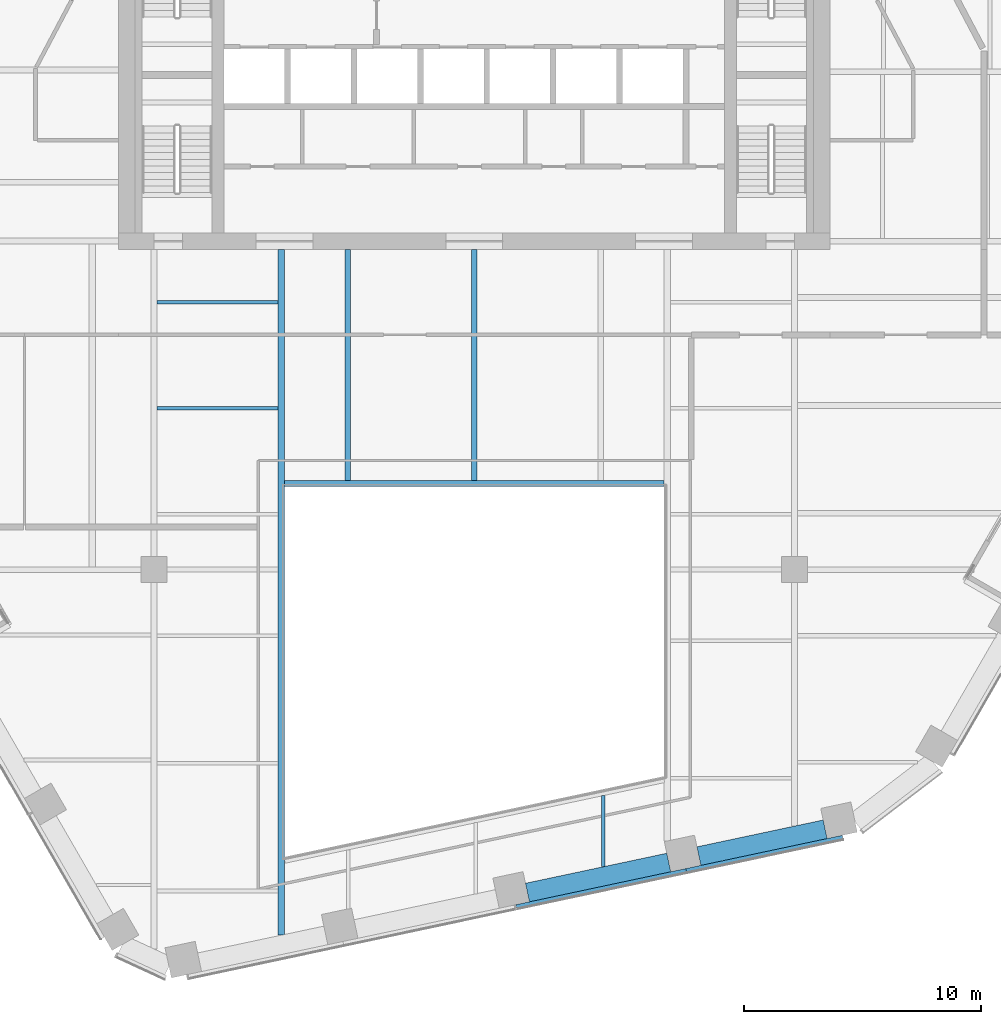
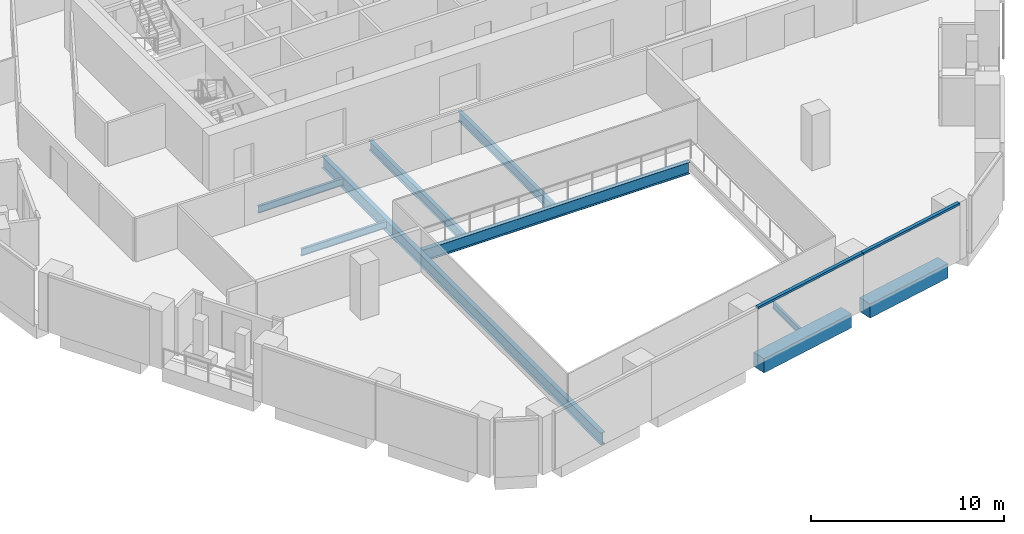
# One storey, part 4 of 25: 9 beams, 2 members, 1 element without a shape of its own.
"""IFC4 building model written with IfcOpenShell, lengths in metres."""

from ifc_helpers import new_model, si_unit, direction, frame, origin, origin_2d, place, context, subcontext, project, spatial, rectangle, i_section, extrude, material, layer, layer_set, material_profile, profile_set, type_object, element, aggregate, save


model = new_model("IFC4")

# Units and contexts
model_context = context("Model", 3, precision=1e-05, world=origin(), true_north=direction((0.0, 1.0)))
body_context = subcontext(model_context, "Body", "Model", "MODEL_VIEW")
ifc_project = project(units=[si_unit("LENGTHUNIT", "METRE"), si_unit("AREAUNIT", "SQUARE_METRE"), si_unit("VOLUMEUNIT", "CUBIC_METRE"), si_unit("PLANEANGLEUNIT", "RADIAN"), si_unit("MASSUNIT", "GRAM", prefix="KILO")], contexts=[model_context])

# Site, building, storey
site_placement = place(None, origin())
site = spatial("IfcSite", under=ifc_project, at=site_placement, CompositionType="ELEMENT")
building_placement = place(site_placement, origin())
building = spatial("IfcBuilding", under=site, at=building_placement, Name="Isthmus Gate Tower", CompositionType="ELEMENT")
storey_placement = place(building_placement, frame((0.0, 0.0, 174.449951171875)))
storey = spatial("IfcBuildingStorey", under=building, at=storey_placement, Name="L43", CompositionType="ELEMENT", Elevation=174.449951171875)

# Curtain wall, members
ifc_material_1 = material(Name="Aluminium, pale champagne anodised", Category="aluminium")
ifc_layer = layer(ifc_material_1, 0.199951171875)
ifc_layer_set = layer_set([ifc_layer], Name="CW-1 UNITISED CURTAIN WALL 200 DEEP")
curtain_wall_type = type_object("IfcCurtainWallType", Name="CW-1 UNITISED CURTAIN WALL 200 DEEP", PredefinedType="NOTDEFINED", material=ifc_layer_set)
curtain_wall_placement = place(storey_placement, origin())
curtain_wall = element("IfcCurtainWall", 1, at=curtain_wall_placement, inside=storey, type_object=curtain_wall_type, Name="CW-1 S L43", PredefinedType="NOTDEFINED")
ifc_material_2 = material(Name="Aluminium, pale champagne anodised", Category="aluminium")
ifc_material_profile_1 = material_profile(ifc_material_2, rectangle(XDim=0.199951171875, YDim=0.139892578125, at=origin_2d()), Name="200x140")
ifc_profile_set_1 = profile_set([ifc_material_profile_1], Name="Aluminium, pale champagne anodised")
member_type = type_object("IfcMemberType", Name="CW-1 TRANSOM 200 X 140", PredefinedType="USERDEFINED", material=ifc_profile_set_1)
member_1_placement = place(storey_placement, frame((1.76953125, -27.72607421875, 3.580078125), z_axis=(0.978146152746, 0.207918502948, 0.0), x_axis=(-0.207918502948, 0.978146152746, 0.0)))
member_1 = element("IfcMember", 2, at=member_1_placement, type_object=member_type, Name="CW-1 transom", ObjectType="TRANSOM", PredefinedType="USERDEFINED", context=body_context, shape_type="SweptSolid", body=[
    extrude(rectangle(XDim=0.199951171875, YDim=0.139892578125, at=origin_2d()), origin(), (0.0, 0.0, 1.0), 7.33056640625),
])
member_2_placement = place(storey_placement, frame((8.93994140625, -26.201904296875, 3.580078125), z_axis=(0.978151394347, 0.207893842469, 0.0), x_axis=(-0.207893842469, 0.978151394347, 0.0)))
member_2 = element("IfcMember", 3, at=member_2_placement, type_object=member_type, Name="CW-1 transom", ObjectType="TRANSOM", PredefinedType="USERDEFINED", context=body_context, shape_type="SweptSolid", body=[
    extrude(rectangle(XDim=0.199951171875, YDim=0.139892578125, at=origin_2d()), origin(), (0.0, 0.0, 1.0), 6.74072265625),
])
aggregate(curtain_wall, [member_1, member_2])

# Beams
ifc_material_3 = material(Name="Concrete f'c 60 MPa", Category="concrete")
ifc_material_profile_2 = material_profile(ifc_material_3, rectangle(XDim=0.800048828125, YDim=0.89990234375, at=origin_2d()), Name="RC 800X900")
ifc_profile_set_2 = profile_set([ifc_material_profile_2], Name="Concrete f'c 60 MPa")
beam_type_1 = type_object("IfcBeamType", Name="RC SPANDREL 800 X 900", PredefinedType="SPANDREL", material=ifc_profile_set_2)
beam_1_placement = place(storey_placement, frame((14.793701171875, -24.446533203125, -0.449951171875), z_axis=(-0.978150410773, -0.207898470186, 0.0), x_axis=(0.207898470186, -0.978150410773, 0.0)))
element("IfcBeam", 4, at=beam_1_placement, inside=storey, type_object=beam_type_1, Name="str-spandrel-L43-11", PredefinedType="SPANDREL", context=body_context, shape_type="SweptSolid", body=[
    extrude(rectangle(XDim=0.800048828125, YDim=0.89990234375, at=origin_2d()), origin(), (0.0, 0.0, 1.0), 5.440673828125),
])
beam_2_placement = place(storey_placement, frame((8.2001953125, -25.84814453125, -0.449951171875), z_axis=(-0.978146012851, -0.207919161079, 0.0), x_axis=(0.207919161079, -0.978146012851, 0.0)))
element("IfcBeam", 5, at=beam_2_placement, inside=storey, type_object=beam_type_1, Name="str-spandrel-L43-12", PredefinedType="SPANDREL", context=body_context, shape_type="SweptSolid", body=[
    extrude(rectangle(XDim=0.800048828125, YDim=0.89990234375, at=origin_2d()), origin(), (0.0, 0.0, 1.0), 6.090576171875),
])
ifc_material_4 = material(Name="Structural steel ASTM A992 Gr 50", Category="steel")
ifc_material_profile_3 = material_profile(ifc_material_4, i_section(OverallWidth=0.1396484375, OverallDepth=0.4033203125, WebThickness=0.00634765625, FlangeThickness=0.010986328125, at=origin_2d()), Name="W16X31")
ifc_profile_set_3 = profile_set([ifc_material_profile_3], Name="Structural steel ASTM A992 Gr 50")
beam_type_2 = type_object("IfcBeamType", Name="STEEL FLOOR BEAM W16X31", PredefinedType="JOIST", material=ifc_profile_set_3)
beam_3_placement = place(storey_placement, frame((5.443115234375, -26.025146484375, -0.3515625), z_axis=(0.0, 1.0, 0.0), x_axis=(-1.0, 0.0, 0.0)))
element("IfcBeam", 6, at=beam_3_placement, inside=storey, type_object=beam_type_2, Name="str-beam-L43-10-02", PredefinedType="JOIST", context=body_context, shape_type="SweptSolid", body=[
    extrude(i_section(OverallWidth=0.1396484375, OverallDepth=0.4033203125, WebThickness=0.00634765625, FlangeThickness=0.010986328125, at=origin_2d()), origin(), (0.0, 0.0, 1.0), 2.998779296875),
])
ifc_material_5 = material(Name="Structural steel ASTM A992 Gr 50", Category="steel")
ifc_material_profile_4 = material_profile(ifc_material_5, i_section(OverallWidth=0.15234375, OverallDepth=0.45068359375, WebThickness=0.0078125, FlangeThickness=0.010986328125, at=origin_2d()), Name="W18X35")
ifc_profile_set_4 = profile_set([ifc_material_profile_4], Name="Structural steel ASTM A992 Gr 50")
beam_type_3 = type_object("IfcBeamType", Name="STEEL FLOOR BEAM W18X35", PredefinedType="JOIST", material=ifc_profile_set_4)
for number, where, z_axis, x_axis, name in (
    (7, (-13.3681640625, -6.697509765625, -0.375244140625), (1.0, 0.0, 0.0), (0.0, 1.0, 0.0), "str-beam-L43-06-01"),
    (8, (-13.3681640625, -2.232421875, -0.375244140625), (1.0, 0.0, 0.0), (0.0, 1.0, 0.0), "str-beam-L43-06-02"),
):
    element("IfcBeam", number, at=place(storey_placement, frame(where, z_axis=z_axis, x_axis=x_axis)), inside=storey, type_object=beam_type_3, Name=name, PredefinedType="JOIST", context=body_context, shape_type="SweptSolid", body=[
        extrude(i_section(OverallWidth=0.15234375, OverallDepth=0.45068359375, WebThickness=0.0078125, FlangeThickness=0.010986328125, at=origin_2d()), origin(), (0.0, 0.0, 1.0), 5.1015625),
    ])
ifc_material_6 = material(Name="Structural steel ASTM A992 Gr 50", Category="steel")
ifc_material_profile_5 = material_profile(ifc_material_6, i_section(OverallWidth=0.228515625, OverallDepth=0.603271484375, WebThickness=0.010986328125, FlangeThickness=0.014404296875, at=origin_2d()), Name="W24X68")
ifc_profile_set_5 = profile_set([ifc_material_profile_5], Name="Structural steel ASTM A992 Gr 50")
beam_type_4 = type_object("IfcBeamType", Name="STEEL FLOOR BEAM W24X68", PredefinedType="JOIST", material=ifc_profile_set_5)
for number, where, z_axis, x_axis, name in (
    (9, (-5.333251953125, -9.7333984375, -0.45166015625), (0.0, 1.0, 0.0), (-1.0, 0.0, 0.0), "str-beam-L43-09-00"),
    (10, (0.0, -9.7333984375, -0.45166015625), (0.0, 1.0, 0.0), (-1.0, 0.0, 0.0), "str-beam-L43-09-01"),
):
    element("IfcBeam", number, at=place(storey_placement, frame(where, z_axis=z_axis, x_axis=x_axis)), inside=storey, type_object=beam_type_4, Name=name, PredefinedType="JOIST", context=body_context, shape_type="SweptSolid", body=[
        extrude(i_section(OverallWidth=0.228515625, OverallDepth=0.603271484375, WebThickness=0.010986328125, FlangeThickness=0.014404296875, at=origin_2d()), origin(), (0.0, 0.0, 1.0), 9.7333984375),
    ])
ifc_material_7 = material(Name="Structural steel ASTM A992 Gr 50", Category="steel")
ifc_material_profile_6 = material_profile(ifc_material_7, i_section(OverallWidth=0.2666015625, OverallDepth=0.7587890625, WebThickness=0.014404296875, FlangeThickness=0.01904296875, at=origin_2d()), Name="W30X108")
ifc_profile_set_6 = profile_set([ifc_material_profile_6], Name="Structural steel ASTM A992 Gr 50")
beam_type_5 = type_object("IfcBeamType", Name="STEEL TRIMMER W30X108", PredefinedType="BEAM", material=ifc_profile_set_6)
beam_4_placement = place(storey_placement, frame((-8.13330078125, 0.0, -0.529296875), z_axis=(0.0, -1.0, 0.0), x_axis=(1.0, 0.0, 0.0)))
element("IfcBeam", 11, at=beam_4_placement, inside=storey, type_object=beam_type_5, Name="str-trimmer-L43-02", PredefinedType="BEAM", context=body_context, shape_type="SweptSolid", body=[
    extrude(i_section(OverallWidth=0.2666015625, OverallDepth=0.7587890625, WebThickness=0.014404296875, FlangeThickness=0.01904296875, at=origin_2d()), origin(), (0.0, 0.0, 1.0), 28.910888671875),
])
beam_5_placement = place(storey_placement, frame((8.0, -9.86669921875, -0.529296875), z_axis=(-1.0, 0.0, 0.0), x_axis=(0.0, -1.0, 0.0)))
element("IfcBeam", 12, at=beam_5_placement, inside=storey, type_object=beam_type_5, Name="str-trimmer-L43-04", PredefinedType="BEAM", context=body_context, shape_type="SweptSolid", body=[
    extrude(i_section(OverallWidth=0.2666015625, OverallDepth=0.7587890625, WebThickness=0.014404296875, FlangeThickness=0.01904296875, at=origin_2d()), origin(), (0.0, 0.0, 1.0), 16.0),
])

save(model, "model.ifc")
